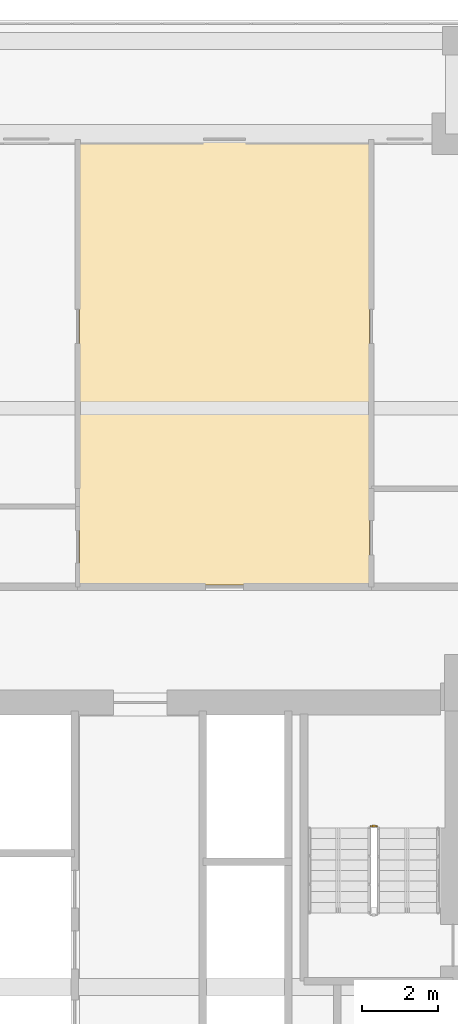
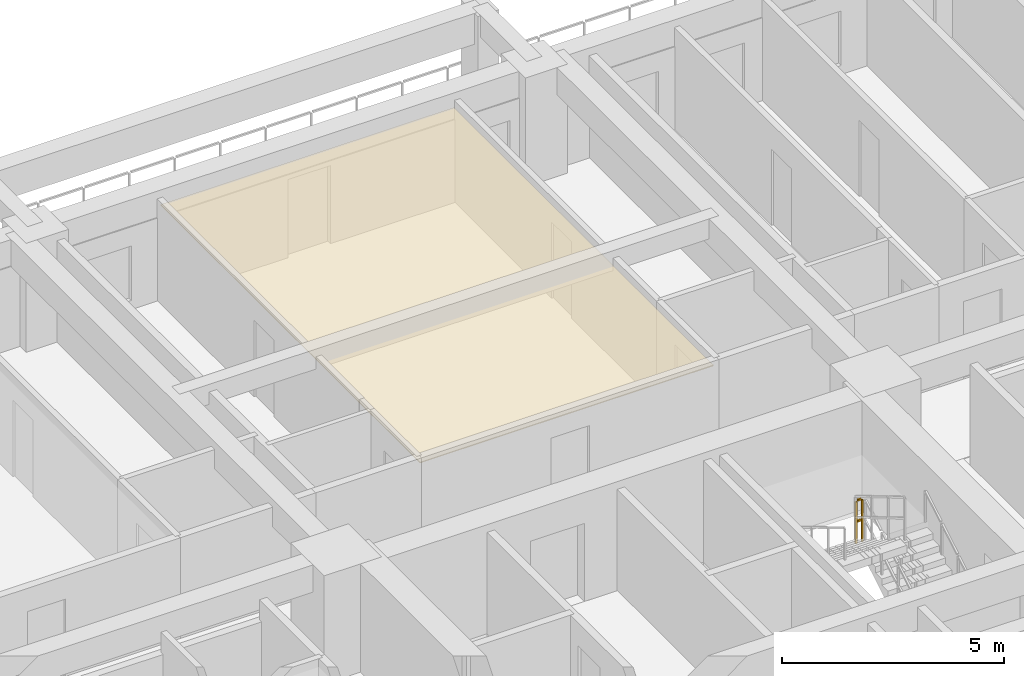
# One storey, part 18 of 19: 1 covering, 1 railing.
"""IFC4 building model written with IfcOpenShell, lengths in metres."""

from ifc_helpers import new_model, si_unit, direction, frame, origin, origin_2d, place, context, subcontext, project, spatial, polyline, rectangle, outline, extrude, material, layer, layer_set, type_object, element, save


model = new_model("IFC4")

# Units and contexts
model_context = context("Model", 3, precision=1e-05, world=origin(), true_north=direction((0.0, 1.0)))
body_context = subcontext(model_context, "Body", "Model", "MODEL_VIEW")
ifc_project = project(units=[si_unit("LENGTHUNIT", "METRE"), si_unit("AREAUNIT", "SQUARE_METRE"), si_unit("VOLUMEUNIT", "CUBIC_METRE"), si_unit("PLANEANGLEUNIT", "RADIAN"), si_unit("MASSUNIT", "GRAM", prefix="KILO")], contexts=[model_context])

# Site, building, storey
site_placement = place(None, origin())
site = spatial("IfcSite", under=ifc_project, at=site_placement, CompositionType="ELEMENT")
building_placement = place(site_placement, origin())
building = spatial("IfcBuilding", under=site, at=building_placement, Name="Saelheon Loggia Tower", CompositionType="ELEMENT")
storey_placement = place(building_placement, frame((0.0, 0.0, 19.39990234375)))
storey = spatial("IfcBuildingStorey", under=building, at=storey_placement, Name="L05", CompositionType="ELEMENT", Elevation=19.39990234375)

# Covering
ifc_material_1 = material(Name="Mineral-Fibre Acoustic Ceiling Board", Category="gypsum")
ifc_layer = layer(ifc_material_1, 0.02490234375)
ifc_layer_set = layer_set([ifc_layer], Name="Mineral-Fibre Acoustic Ceiling Board")
covering_type = type_object("IfcCoveringType", Name="Cov_Ceiling_Acoustic", PredefinedType="CEILING", material=ifc_layer_set)
covering_placement = place(storey_placement, frame((0.0, 0.0, 2.53515625)))
element("IfcCovering", 1, at=covering_placement, inside=storey, type_object=covering_type, Name="L05 Acoustic Suspended Ceiling", PredefinedType="CEILING", context=body_context, shape_type="SweptSolid", body=[
    extrude(outline(polyline([(34.651611328125, 39.10009765625), (42.294677734375, 39.10009765625), (42.294677734375, 50.800048828125), (34.651611328125, 50.800048828125), (34.651611328125, 39.10009765625)])), origin(), (0.0, 0.0, 1.0), 0.02490234375),
])

# Railing
ifc_material_2 = material(Name="Galvanised Steel S275 Stairwell Guardrail", Category="steel")
railing_type = type_object("IfcRailingType", Name="Guard_StairWell_RL_STG", PredefinedType="GUARDRAIL", material=ifc_material_2)
railing_placement = place(storey_placement, frame((42.489990234375, 32.739990234375, 1.5)))
element("IfcRailing", 2, at=railing_placement, inside=storey, type_object=railing_type, Name="L05 ST2 stair guard 2", PredefinedType="GUARDRAIL", context=body_context, shape_type="SweptSolid", body=[
    extrude(rectangle(XDim=0.048095703125, YDim=0.048095703125, at=origin_2d()), frame((-0.033203125, 0.0, 1.17578125), z_axis=(-1.0, 0.0, 0.0), x_axis=(0.0, -1.0, 0.0)), (0.0, 0.0, 1.0), 0.093505859375),
    extrude(rectangle(XDim=0.048095703125, YDim=0.048095703125, at=origin_2d()), frame((-0.033203125, 0.0, 0.60009765625), z_axis=(-1.0, 0.0, 0.0), x_axis=(0.0, -1.0, 0.0)), (0.0, 0.0, 1.0), 0.093505859375),
    extrude(rectangle(XDim=0.0419921875, YDim=0.0419921875, at=origin_2d()), origin(), (0.0, 0.0, 1.0), 1.14794921875),
    extrude(rectangle(XDim=0.0419921875, YDim=0.0419921875, at=origin_2d()), frame((-0.159912109375, 0.0, 0.0)), (0.0, 0.0, 1.0), 1.14794921875),
])

save(model, "model.ifc")
